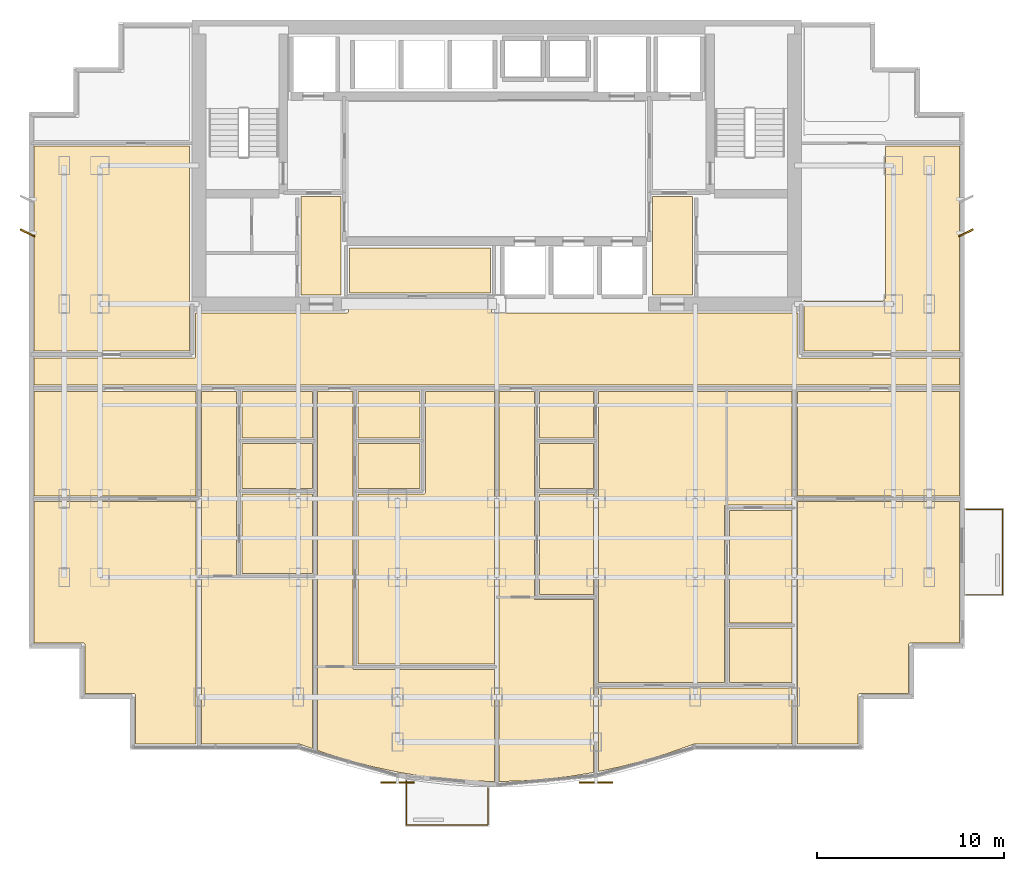
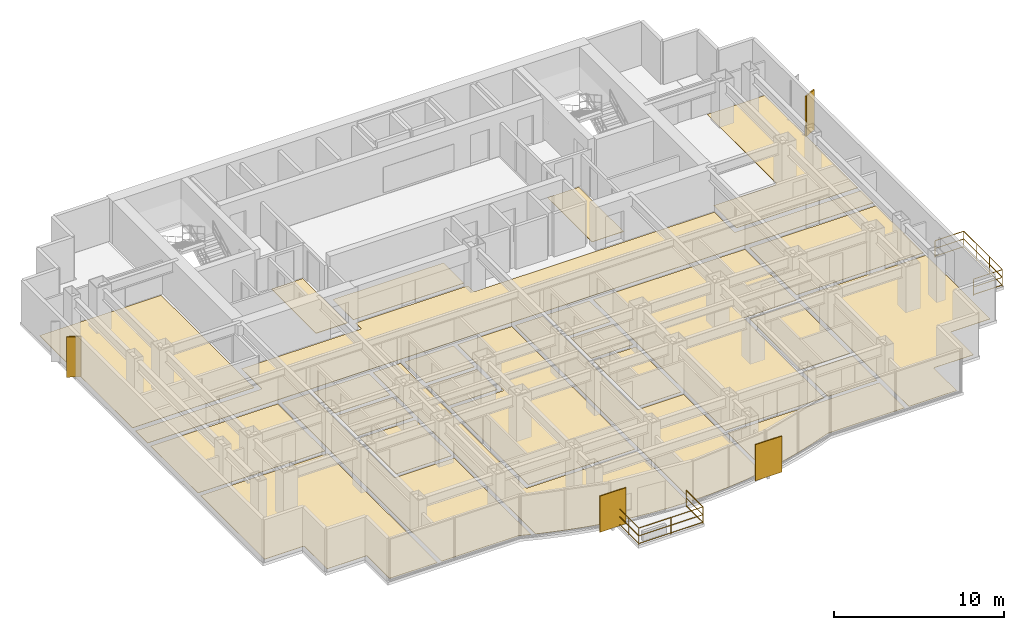
# One storey, part 9 of 10: 26 coverings, 4 shading devices, 2 railings.
"""IFC4 building model written with IfcOpenShell, lengths in metres."""

from ifc_helpers import new_model, si_unit, direction, frame, origin, origin_2d, place, context, subcontext, project, spatial, polyline, rectangle, circle, outline, extrude, source, transform, mapped, material, layer, layer_set, type_object, element, save


model = new_model("IFC4")

# Units and contexts
model_context = context("Model", 3, precision=1e-05, world=origin(), true_north=direction((0.0, 1.0)))
body_context = subcontext(model_context, "Body", "Model", "MODEL_VIEW")
ifc_project = project(units=[si_unit("LENGTHUNIT", "METRE"), si_unit("AREAUNIT", "SQUARE_METRE"), si_unit("VOLUMEUNIT", "CUBIC_METRE"), si_unit("PLANEANGLEUNIT", "RADIAN"), si_unit("MASSUNIT", "GRAM", prefix="KILO")], contexts=[model_context])

# Site, building, storey
site_placement = place(None, origin())
site = spatial("IfcSite", under=ifc_project, at=site_placement, CompositionType="ELEMENT")
building_placement = place(site_placement, origin())
building = spatial("IfcBuilding", under=site, at=building_placement, Name="Qianlan Lanfeng Residences", CompositionType="ELEMENT")
storey_placement = place(building_placement, frame((0.0, 0.0, 88.300048828125)))
storey = spatial("IfcBuildingStorey", under=building, at=storey_placement, Name="L23", CompositionType="ELEMENT", Elevation=88.300048828125)

# Coverings
ifc_material_1 = material(Name="Honed Taitung Granite Stone Flooring", Category="masonry")
ifc_layer_1 = layer(ifc_material_1, 0.030029296875)
ifc_layer_set_1 = layer_set([ifc_layer_1], Name="Honed Taitung Granite Stone Flooring")
covering_type_1 = type_object("IfcCoveringType", Name="FLR-STN-30", PredefinedType="FLOORING", material=ifc_layer_set_1)
covering_1_placement = place(storey_placement, origin())
element("IfcCovering", 1, at=covering_1_placement, inside=storey, type_object=covering_type_1, Name="L23 Residential Corridor Floor Finish", PredefinedType="FLOORING", context=body_context, shape_type="SweptSolid", body=[
    extrude(outline(polyline([(1.7900390625, 20.8798828125), (51.2099609375, 20.8798828125), (51.2099609375, 22.320068359375), (42.6650390625, 22.320068359375), (42.657958984375, 22.320068359375), (42.65087890625, 22.321044921875), (42.64501953125, 22.322998046875), (42.637939453125, 22.324951171875), (42.632080078125, 22.327880859375), (42.6259765625, 22.33203125), (42.62109375, 22.3359375), (42.615966796875, 22.341064453125), (42.611083984375, 22.345947265625), (42.60693359375, 22.35107421875), (42.60302734375, 22.35693359375), (42.60009765625, 22.363037109375), (42.597900390625, 22.3701171875), (42.595947265625, 22.3759765625), (42.594970703125, 22.383056640625), (42.594970703125, 22.389892578125), (42.594970703125, 24.72509765625), (26.300048828125, 24.72509765625), (26.29296875, 24.72509765625), (26.285888671875, 24.72607421875), (26.280029296875, 24.72802734375), (26.27294921875, 24.72998046875), (26.26708984375, 24.73291015625), (26.260986328125, 24.737060546875), (26.256103515625, 24.740966796875), (26.2509765625, 24.74609375), (26.24609375, 24.7509765625), (26.241943359375, 24.756103515625), (26.238037109375, 24.761962890625), (26.235107421875, 24.76806640625), (26.23291015625, 24.77490234375), (26.23095703125, 24.781005859375), (26.22998046875, 24.7880859375), (26.22998046875, 24.794921875), (26.22998046875, 25.429931640625), (18.570068359375, 25.429931640625), (18.570068359375, 24.794921875), (18.570068359375, 24.7880859375), (18.569091796875, 24.781005859375), (18.56689453125, 24.77490234375), (18.56494140625, 24.76806640625), (18.56201171875, 24.761962890625), (18.55810546875, 24.756103515625), (18.553955078125, 24.7509765625), (18.549072265625, 24.74609375), (18.5439453125, 24.740966796875), (18.5390625, 24.737060546875), (18.532958984375, 24.73291015625), (18.527099609375, 24.72998046875), (18.52001953125, 24.72802734375), (18.513916015625, 24.72607421875), (18.507080078125, 24.72509765625), (18.5, 24.72509765625), (10.405029296875, 24.72509765625), (10.405029296875, 22.389892578125), (10.405029296875, 22.383056640625), (10.404052734375, 22.3759765625), (10.402099609375, 22.3701171875), (10.39990234375, 22.363037109375), (10.39697265625, 22.35693359375), (10.39306640625, 22.35107421875), (10.388916015625, 22.345947265625), (10.384033203125, 22.341064453125), (10.37890625, 22.3359375), (10.3740234375, 22.33203125), (10.367919921875, 22.327880859375), (10.362060546875, 22.324951171875), (10.35498046875, 22.322998046875), (10.34912109375, 22.321044921875), (10.342041015625, 22.320068359375), (10.3349609375, 22.320068359375), (1.7900390625, 22.320068359375), (1.7900390625, 20.8798828125)])), origin(), (0.0, 0.0, 1.0), 0.030029296875),
])
covering_2_placement = place(storey_placement, origin())
element("IfcCovering", 2, at=covering_2_placement, inside=storey, type_object=covering_type_1, Name="L23 Lift Lobby Floor Finish", PredefinedType="FLOORING", context=body_context, shape_type="SweptSolid", body=[
    extrude(outline(polyline([(16.030029296875, 25.68505859375), (18.169921875, 25.68505859375), (18.169921875, 30.949951171875), (16.030029296875, 30.949951171875), (16.030029296875, 25.68505859375)])), origin(), (0.0, 0.0, 1.0), 0.030029296875),
])
covering_3_placement = place(storey_placement, origin())
element("IfcCovering", 3, at=covering_3_placement, inside=storey, type_object=covering_type_1, Name="L23 Lift Lobby Floor Finish", PredefinedType="FLOORING", context=body_context, shape_type="SweptSolid", body=[
    extrude(outline(polyline([(34.830078125, 25.68505859375), (36.969970703125, 25.68505859375), (36.969970703125, 30.949951171875), (34.830078125, 30.949951171875), (34.830078125, 25.68505859375)])), origin(), (0.0, 0.0, 1.0), 0.030029296875),
])
ifc_material_2 = material(Name="Slip-Resistant Porcelain Tile Flooring")
ifc_layer_2 = layer(ifc_material_2, 0.02001953125)
ifc_layer_set_2 = layer_set([ifc_layer_2], Name="Slip-Resistant Porcelain Tile Flooring")
covering_type_2 = type_object("IfcCoveringType", Name="FLR-TIL-20", PredefinedType="FLOORING", material=ifc_layer_set_2)
covering_4_placement = place(storey_placement, origin())
element("IfcCovering", 4, at=covering_4_placement, inside=storey, type_object=covering_type_2, Name="L23 Kitchen Floor Finish", PredefinedType="FLOORING", context=body_context, shape_type="SweptSolid", body=[
    extrude(outline(polyline([(12.889892578125, 15.340087890625), (16.659912109375, 15.340087890625), (16.659912109375, 17.760009765625), (12.889892578125, 17.760009765625), (12.889892578125, 15.340087890625)])), origin(), (0.0, 0.0, 1.0), 0.02001953125),
])
covering_5_placement = place(storey_placement, origin())
element("IfcCovering", 5, at=covering_5_placement, inside=storey, type_object=covering_type_2, Name="L23 Bathroom Floor Finish", PredefinedType="FLOORING", context=body_context, shape_type="SweptSolid", body=[
    extrude(outline(polyline([(12.889892578125, 18.0400390625), (16.659912109375, 18.0400390625), (16.659912109375, 20.530029296875), (12.889892578125, 20.530029296875), (12.889892578125, 18.0400390625)])), origin(), (0.0, 0.0, 1.0), 0.02001953125),
])
covering_6_placement = place(storey_placement, origin())
element("IfcCovering", 6, at=covering_6_placement, inside=storey, type_object=covering_type_2, Name="L23 Kitchen Floor Finish", PredefinedType="FLOORING", context=body_context, shape_type="SweptSolid", body=[
    extrude(outline(polyline([(19.090087890625, 15.340087890625), (22.409912109375, 15.340087890625), (22.409912109375, 17.760009765625), (19.090087890625, 17.760009765625), (19.090087890625, 15.340087890625)])), origin(), (0.0, 0.0, 1.0), 0.02001953125),
])
covering_7_placement = place(storey_placement, origin())
element("IfcCovering", 7, at=covering_7_placement, inside=storey, type_object=covering_type_2, Name="L23 Bathroom Floor Finish", PredefinedType="FLOORING", context=body_context, shape_type="SweptSolid", body=[
    extrude(outline(polyline([(19.090087890625, 18.0400390625), (22.409912109375, 18.0400390625), (22.409912109375, 20.530029296875), (19.090087890625, 20.530029296875), (19.090087890625, 18.0400390625)])), origin(), (0.0, 0.0, 1.0), 0.02001953125),
])
covering_8_placement = place(storey_placement, origin())
element("IfcCovering", 8, at=covering_8_placement, inside=storey, type_object=covering_type_2, Name="L23 Kitchen Floor Finish", PredefinedType="FLOORING", context=body_context, shape_type="SweptSolid", body=[
    extrude(outline(polyline([(28.7900390625, 15.340087890625), (31.659912109375, 15.340087890625), (31.659912109375, 17.760009765625), (28.7900390625, 17.760009765625), (28.7900390625, 15.340087890625)])), origin(), (0.0, 0.0, 1.0), 0.02001953125),
])
covering_9_placement = place(storey_placement, origin())
element("IfcCovering", 9, at=covering_9_placement, inside=storey, type_object=covering_type_2, Name="L23 Bathroom Floor Finish", PredefinedType="FLOORING", context=body_context, shape_type="SweptSolid", body=[
    extrude(outline(polyline([(28.7900390625, 18.0400390625), (31.659912109375, 18.0400390625), (31.659912109375, 20.530029296875), (28.7900390625, 20.530029296875), (28.7900390625, 18.0400390625)])), origin(), (0.0, 0.0, 1.0), 0.02001953125),
])
covering_10_placement = place(storey_placement, origin())
element("IfcCovering", 10, at=covering_10_placement, inside=storey, type_object=covering_type_2, Name="L23 En-Suite Bathroom Floor Finish", PredefinedType="FLOORING", context=body_context, shape_type="SweptSolid", body=[
    extrude(outline(polyline([(38.93994140625, 4.968017578125), (42.27001953125, 4.968017578125), (42.27001953125, 7.887939453125), (38.93994140625, 7.887939453125), (38.93994140625, 4.968017578125)])), origin(), (0.0, 0.0, 1.0), 0.02001953125),
])
ifc_material_3 = material(Name="Engineered Smoked Oak Timber Flooring", Category="wood")
ifc_layer_3 = layer(ifc_material_3, 0.02197265625)
ifc_layer_set_3 = layer_set([ifc_layer_3], Name="Engineered Smoked Oak Timber Flooring")
covering_type_3 = type_object("IfcCoveringType", Name="FLR-TIM-22", PredefinedType="FLOORING", material=ifc_layer_set_3)
covering_11_placement = place(storey_placement, origin())
element("IfcCovering", 11, at=covering_11_placement, inside=storey, type_object=covering_type_3, Name="L23 Gallery Salon Floor Finish", PredefinedType="FLOORING", context=body_context, shape_type="SweptSolid", body=[
    extrude(outline(polyline([(18.6298828125, 25.800048828125), (26.169921875, 25.800048828125), (26.169921875, 28.205078125), (18.6298828125, 28.205078125), (18.6298828125, 25.800048828125)])), origin(), (0.0, 0.0, 1.0), 0.02197265625),
])
covering_12_placement = place(storey_placement, origin())
element("IfcCovering", 12, at=covering_12_placement, inside=storey, type_object=covering_type_3, Name="L23 Studio Living Room Floor Finish", PredefinedType="FLOORING", context=body_context, shape_type="SweptSolid", body=[
    extrude(outline(polyline([(16.669921875, 1.44189453125), (16.669921875, 10.511962890625), (12.679931640625, 10.511962890625), (12.673095703125, 10.511962890625), (12.666015625, 10.512939453125), (12.659912109375, 10.514892578125), (12.653076171875, 10.51708984375), (12.64697265625, 10.52001953125), (12.64111328125, 10.52392578125), (12.635986328125, 10.528076171875), (12.631103515625, 10.532958984375), (12.6259765625, 10.5380859375), (12.6220703125, 10.54296875), (12.617919921875, 10.549072265625), (12.614990234375, 10.554931640625), (12.613037109375, 10.56201171875), (12.611083984375, 10.568115234375), (12.610107421875, 10.574951171875), (12.610107421875, 10.58203125), (12.610107421875, 20.530029296875), (10.72998046875, 20.530029296875), (10.72998046875, 1.68994140625), (15.9580078125, 1.68994140625), (15.966064453125, 1.68994140625), (15.97412109375, 1.68798828125), (15.98095703125, 1.68603515625), (16.669921875, 1.44189453125)])), origin(), (0.0, 0.0, 1.0), 0.02197265625),
])
covering_13_placement = place(storey_placement, origin())
element("IfcCovering", 13, at=covering_13_placement, inside=storey, type_object=covering_type_3, Name="L23 Villa Family Sitting Room Floor Finish", PredefinedType="FLOORING", context=body_context, shape_type="SweptSolid", body=[
    extrude(outline(polyline([(12.889892578125, 15.06005859375), (12.889892578125, 10.7919921875), (16.669921875, 10.7919921875), (16.669921875, 15.06005859375), (12.889892578125, 15.06005859375)])), origin(), (0.0, 0.0, 1.0), 0.02197265625),
])
covering_14_placement = place(storey_placement, origin())
element("IfcCovering", 14, at=covering_14_placement, inside=storey, type_object=covering_type_3, Name="L23 Studio Living Room Floor Finish", PredefinedType="FLOORING", context=body_context, shape_type="SweptSolid", body=[
    extrude(outline(polyline([(26.3701171875, -0.306884765625), (26.3701171875, 5.68310546875), (18.8798828125, 5.68310546875), (18.873046875, 5.68310546875), (18.865966796875, 5.68408203125), (18.860107421875, 5.68603515625), (18.85302734375, 5.68798828125), (18.846923828125, 5.69091796875), (18.841064453125, 5.695068359375), (18.8359375, 5.698974609375), (18.8310546875, 5.7041015625), (18.825927734375, 5.708984375), (18.822021484375, 5.714111328125), (18.818115234375, 5.719970703125), (18.81494140625, 5.72607421875), (18.81298828125, 5.73291015625), (18.81103515625, 5.739013671875), (18.81005859375, 5.74609375), (18.81005859375, 5.7529296875), (18.81005859375, 20.530029296875), (16.929931640625, 20.530029296875), (16.929931640625, 1.34912109375), (17.3330078125, 1.2060546875), (18.64404296875, 0.803955078125), (19.9541015625, 0.462890625), (21.263916015625, 0.18505859375), (22.572998046875, -0.031982421875), (23.882080078125, -0.18603515625), (25.19091796875, -0.279052734375), (26.3701171875, -0.306884765625)])), origin(), (0.0, 0.0, 1.0), 0.02197265625),
])
covering_15_placement = place(storey_placement, origin())
element("IfcCovering", 15, at=covering_15_placement, inside=storey, type_object=covering_type_3, Name="L23 Villa Family Sitting Room Floor Finish", PredefinedType="FLOORING", context=body_context, shape_type="SweptSolid", body=[
    extrude(outline(polyline([(19.090087890625, 5.962890625), (26.3701171875, 5.962890625), (26.3701171875, 20.530029296875), (22.68994140625, 20.530029296875), (22.68994140625, 15.1298828125), (22.68994140625, 15.123046875), (22.68896484375, 15.115966796875), (22.68701171875, 15.110107421875), (22.68505859375, 15.10302734375), (22.681884765625, 15.096923828125), (22.677978515625, 15.091064453125), (22.674072265625, 15.0859375), (22.6689453125, 15.0810546875), (22.6640625, 15.075927734375), (22.658935546875, 15.072021484375), (22.653076171875, 15.068115234375), (22.64697265625, 15.06494140625), (22.639892578125, 15.06298828125), (22.634033203125, 15.06103515625), (22.626953125, 15.06005859375), (22.6201171875, 15.06005859375), (19.090087890625, 15.06005859375), (19.090087890625, 5.962890625)])), origin(), (0.0, 0.0, 1.0), 0.02197265625),
])
covering_16_placement = place(storey_placement, origin())
element("IfcCovering", 16, at=covering_16_placement, inside=storey, type_object=covering_type_3, Name="L23 Living and Dining Room Floor Finish", PredefinedType="FLOORING", context=body_context, shape_type="SweptSolid", body=[
    extrude(outline(polyline([(31.669921875, 0.174072265625), (31.669921875, 9.406982421875), (28.580078125, 9.406982421875), (28.572998046875, 9.406982421875), (28.56591796875, 9.407958984375), (28.56005859375, 9.409912109375), (28.552978515625, 9.412109375), (28.547119140625, 9.4150390625), (28.541015625, 9.4189453125), (28.535888671875, 9.423095703125), (28.531005859375, 9.427978515625), (28.52587890625, 9.43310546875), (28.52197265625, 9.43798828125), (28.51806640625, 9.444091796875), (28.514892578125, 9.449951171875), (28.512939453125, 9.45703125), (28.510986328125, 9.462890625), (28.510009765625, 9.469970703125), (28.510009765625, 9.47705078125), (28.510009765625, 20.530029296875), (26.6298828125, 20.530029296875), (26.6298828125, -0.306884765625), (27.80810546875, -0.279052734375), (29.117919921875, -0.18603515625), (30.426025390625, -0.031982421875), (31.669921875, 0.174072265625)])), origin(), (0.0, 0.0, 1.0), 0.02197265625),
])
covering_17_placement = place(storey_placement, origin())
element("IfcCovering", 17, at=covering_17_placement, inside=storey, type_object=covering_type_3, Name="L23 Villa Family Sitting Room Floor Finish", PredefinedType="FLOORING", context=body_context, shape_type="SweptSolid", body=[
    extrude(outline(polyline([(28.7900390625, 15.06005859375), (28.7900390625, 9.68701171875), (31.669921875, 9.68701171875), (31.669921875, 15.06005859375), (28.7900390625, 15.06005859375)])), origin(), (0.0, 0.0, 1.0), 0.02197265625),
])
covering_18_placement = place(storey_placement, origin())
element("IfcCovering", 18, at=covering_18_placement, inside=storey, type_object=covering_type_3, Name="L23 Private Study Floor Finish", PredefinedType="FLOORING", context=body_context, shape_type="SweptSolid", body=[
    extrude(outline(polyline([(38.93994140625, 8.16796875), (42.27001953125, 8.16796875), (42.27001953125, 14.174072265625), (38.93994140625, 14.174072265625), (38.93994140625, 8.16796875)])), origin(), (0.0, 0.0, 1.0), 0.02197265625),
])
covering_19_placement = place(storey_placement, origin())
element("IfcCovering", 19, at=covering_19_placement, inside=storey, type_object=covering_type_3, Name="L23 Villa Family Sitting Room Floor Finish", PredefinedType="FLOORING", context=body_context, shape_type="SweptSolid", body=[
    extrude(outline(polyline([(31.929931640625, 4.968017578125), (38.659912109375, 4.968017578125), (38.659912109375, 14.384033203125), (38.659912109375, 14.39111328125), (38.660888671875, 14.39794921875), (38.6630859375, 14.404052734375), (38.6650390625, 14.410888671875), (38.66796875, 14.4169921875), (38.672119140625, 14.423095703125), (38.676025390625, 14.427978515625), (38.680908203125, 14.43310546875), (38.68603515625, 14.43798828125), (38.69091796875, 14.44189453125), (38.697021484375, 14.446044921875), (38.702880859375, 14.448974609375), (38.7099609375, 14.450927734375), (38.716064453125, 14.452880859375), (38.722900390625, 14.4541015625), (38.72998046875, 14.4541015625), (42.27001953125, 14.4541015625), (42.27001953125, 20.530029296875), (31.929931640625, 20.530029296875), (31.929931640625, 4.968017578125)])), origin(), (0.0, 0.0, 1.0), 0.02197265625),
])
covering_20_placement = place(storey_placement, origin())
element("IfcCovering", 20, at=covering_20_placement, inside=storey, type_object=covering_type_3, Name="L23 Master Bedroom Floor Finish", PredefinedType="FLOORING", context=body_context, shape_type="SweptSolid", body=[
    extrude(outline(polyline([(31.929931640625, 4.68798828125), (31.929931640625, 0.22607421875), (33.044921875, 0.462890625), (34.35595703125, 0.803955078125), (35.6669921875, 1.2060546875), (37.01904296875, 1.68603515625), (37.02587890625, 1.68798828125), (37.033935546875, 1.68994140625), (37.0419921875, 1.68994140625), (42.27001953125, 1.68994140625), (42.27001953125, 4.68798828125), (31.929931640625, 4.68798828125)])), origin(), (0.0, 0.0, 1.0), 0.02197265625),
])
covering_21_placement = place(storey_placement, origin())
element("IfcCovering", 21, at=covering_21_placement, inside=storey, type_object=covering_type_3, Name="L23 Sunroom Floor Finish", PredefinedType="FLOORING", context=body_context, shape_type="SweptSolid", body=[
    extrude(outline(polyline([(10.43994140625, 14.64990234375), (1.7900390625, 14.64990234375), (1.7900390625, 7.090087890625), (4.419921875, 7.090087890625), (4.427001953125, 7.090087890625), (4.43408203125, 7.089111328125), (4.43994140625, 7.0869140625), (4.447021484375, 7.0849609375), (4.452880859375, 7.08203125), (4.458984375, 7.077880859375), (4.464111328125, 7.073974609375), (4.468994140625, 7.069091796875), (4.47412109375, 7.06396484375), (4.47802734375, 7.05908203125), (4.48193359375, 7.052978515625), (4.485107421875, 7.047119140625), (4.487060546875, 7.0400390625), (4.489013671875, 7.033935546875), (4.489990234375, 7.027099609375), (4.489990234375, 7.02001953125), (4.489990234375, 4.389892578125), (7.1201171875, 4.389892578125), (7.126953125, 4.389892578125), (7.134033203125, 4.388916015625), (7.139892578125, 4.386962890625), (7.14697265625, 4.385009765625), (7.153076171875, 4.382080078125), (7.158935546875, 4.3779296875), (7.1640625, 4.3740234375), (7.1689453125, 4.368896484375), (7.174072265625, 4.364013671875), (7.177978515625, 4.35888671875), (7.181884765625, 4.35302734375), (7.18505859375, 4.346923828125), (7.18701171875, 4.340087890625), (7.18896484375, 4.333984375), (7.18994140625, 4.326904296875), (7.18994140625, 4.320068359375), (7.18994140625, 1.68994140625), (10.43994140625, 1.68994140625), (10.43994140625, 14.64990234375)])), origin(), (0.0, 0.0, 1.0), 0.02197265625),
])
covering_22_placement = place(storey_placement, origin())
element("IfcCovering", 22, at=covering_22_placement, inside=storey, type_object=covering_type_3, Name="L23 Family Sitting Room Floor Finish", PredefinedType="FLOORING", context=body_context, shape_type="SweptSolid", body=[
    extrude(outline(polyline([(10.43994140625, 20.530029296875), (1.7900390625, 20.530029296875), (1.7900390625, 14.949951171875), (10.43994140625, 14.949951171875), (10.43994140625, 20.530029296875)])), origin(), (0.0, 0.0, 1.0), 0.02197265625),
])
covering_23_placement = place(storey_placement, origin())
element("IfcCovering", 23, at=covering_23_placement, inside=storey, type_object=covering_type_3, Name="L23 Sunroom Floor Finish", PredefinedType="FLOORING", context=body_context, shape_type="SweptSolid", body=[
    extrude(outline(polyline([(51.2099609375, 14.64990234375), (42.56005859375, 14.64990234375), (42.56005859375, 1.68994140625), (45.81005859375, 1.68994140625), (45.81005859375, 4.320068359375), (45.81005859375, 4.326904296875), (45.81103515625, 4.333984375), (45.81298828125, 4.340087890625), (45.81494140625, 4.346923828125), (45.818115234375, 4.35302734375), (45.822021484375, 4.35888671875), (45.825927734375, 4.364013671875), (45.8310546875, 4.368896484375), (45.8359375, 4.3740234375), (45.841064453125, 4.3779296875), (45.846923828125, 4.382080078125), (45.85302734375, 4.385009765625), (45.860107421875, 4.386962890625), (45.865966796875, 4.388916015625), (45.873046875, 4.389892578125), (45.8798828125, 4.389892578125), (48.510009765625, 4.389892578125), (48.510009765625, 7.02001953125), (48.510009765625, 7.027099609375), (48.510986328125, 7.033935546875), (48.512939453125, 7.0400390625), (48.514892578125, 7.047119140625), (48.51806640625, 7.052978515625), (48.52197265625, 7.05908203125), (48.52587890625, 7.06396484375), (48.531005859375, 7.069091796875), (48.535888671875, 7.073974609375), (48.541015625, 7.077880859375), (48.547119140625, 7.08203125), (48.552978515625, 7.0849609375), (48.56005859375, 7.0869140625), (48.56591796875, 7.089111328125), (48.572998046875, 7.090087890625), (48.580078125, 7.090087890625), (51.2099609375, 7.090087890625), (51.2099609375, 14.64990234375)])), origin(), (0.0, 0.0, 1.0), 0.02197265625),
])
covering_24_placement = place(storey_placement, origin())
element("IfcCovering", 24, at=covering_24_placement, inside=storey, type_object=covering_type_3, Name="L23 Private Study Floor Finish", PredefinedType="FLOORING", context=body_context, shape_type="SweptSolid", body=[
    extrude(outline(polyline([(51.2099609375, 20.530029296875), (42.56005859375, 20.530029296875), (42.56005859375, 14.949951171875), (51.2099609375, 14.949951171875), (51.2099609375, 20.530029296875)])), origin(), (0.0, 0.0, 1.0), 0.02197265625),
])
covering_25_placement = place(storey_placement, origin())
element("IfcCovering", 25, at=covering_25_placement, inside=storey, type_object=covering_type_3, Name="L23 Business Meeting Room Floor Finish", PredefinedType="FLOORING", context=body_context, shape_type="SweptSolid", body=[
    extrude(outline(polyline([(10.074951171875, 33.64990234375), (1.7900390625, 33.64990234375), (1.7900390625, 22.679931640625), (10.074951171875, 22.679931640625), (10.074951171875, 33.64990234375)])), origin(), (0.0, 0.0, 1.0), 0.02197265625),
])
covering_26_placement = place(storey_placement, origin())
element("IfcCovering", 26, at=covering_26_placement, inside=storey, type_object=covering_type_3, Name="L23 Business Meeting Room Floor Finish", PredefinedType="FLOORING", context=body_context, shape_type="SweptSolid", body=[
    extrude(outline(polyline([(51.2099609375, 33.64990234375), (47.27001953125, 33.64990234375), (47.27001953125, 25.60009765625), (47.26904296875, 25.574951171875), (47.264892578125, 25.551025390625), (47.259033203125, 25.527099609375), (47.2509765625, 25.50390625), (47.239990234375, 25.48193359375), (47.22802734375, 25.4609375), (47.212890625, 25.44091796875), (47.197021484375, 25.423095703125), (47.178955078125, 25.406982421875), (47.158935546875, 25.39208984375), (47.137939453125, 25.3798828125), (47.115966796875, 25.368896484375), (47.093017578125, 25.361083984375), (47.069091796875, 25.35498046875), (47.044921875, 25.35107421875), (47.02001953125, 25.35009765625), (43.080078125, 25.35009765625), (43.054931640625, 25.35107421875), (43.031005859375, 25.35498046875), (43.007080078125, 25.361083984375), (42.98388671875, 25.368896484375), (42.9619140625, 25.3798828125), (42.94091796875, 25.39208984375), (42.925048828125, 25.404052734375), (42.925048828125, 22.679931640625), (51.2099609375, 22.679931640625), (51.2099609375, 33.64990234375)])), origin(), (0.0, 0.0, 1.0), 0.02197265625),
])

# Railings
ifc_material_4 = material(Name="Anodised Bronze Aluminium and Laminated Glass Guard Balustrade", Category="aluminium")
railing_type = type_object("IfcRailingType", Name="GR-EXT-1220", PredefinedType="BALUSTRADE", material=ifc_material_4)
railing_1_placement = place(storey_placement, frame((26.030029296875, -0.658935546875, 0.0)))
element("IfcRailing", 27, at=railing_1_placement, inside=storey, type_object=railing_type, Name="L23 Terrace Safety Guard GR-L23-SB-C", PredefinedType="BALUSTRADE", context=body_context, shape_type="SweptSolid", body=[
    extrude(circle(Radius=0.02490234375, at=origin_2d()), frame((0.0, 0.0, 0.0849609375), z_axis=(0.0, -1.0, 0.0), x_axis=(1.0, 0.0, 0.0)), (0.0, 0.0, 1.0), 1.970947265625),
    extrude(circle(Radius=0.02490234375, at=origin_2d()), frame((0.0, 0.0, 0.63427734375), z_axis=(0.0, -1.0, 0.0), x_axis=(1.0, 0.0, 0.0)), (0.0, 0.0, 1.0), 1.970947265625),
    extrude(circle(Radius=0.02490234375, at=origin_2d()), frame((0.0, 0.0, 1.19482421875), z_axis=(0.0, -1.0, 0.0), x_axis=(1.0, 0.0, 0.0)), (0.0, 0.0, 1.0), 1.970947265625),
    extrude(circle(Radius=0.02490234375, at=origin_2d()), frame((0.0, -1.970947265625, 0.0849609375), z_axis=(-1.0, 0.0, 0.0), x_axis=(0.0, -1.0, 0.0)), (0.0, 0.0, 1.0), 4.360107421875),
    extrude(circle(Radius=0.02490234375, at=origin_2d()), frame((0.0, -1.970947265625, 0.63427734375), z_axis=(-1.0, 0.0, 0.0), x_axis=(0.0, -1.0, 0.0)), (0.0, 0.0, 1.0), 4.360107421875),
    extrude(circle(Radius=0.02490234375, at=origin_2d()), frame((0.0, -1.970947265625, 1.19482421875), z_axis=(-1.0, 0.0, 0.0), x_axis=(0.0, -1.0, 0.0)), (0.0, 0.0, 1.0), 4.360107421875),
    extrude(circle(Radius=0.02490234375, at=origin_2d()), frame((-4.360107421875, -1.970947265625, 0.0849609375), z_axis=(0.0, 1.0, 0.0), x_axis=(-1.0, 0.0, 0.0)), (0.0, 0.0, 1.0), 2.3818359375),
    extrude(circle(Radius=0.02490234375, at=origin_2d()), frame((-4.360107421875, -1.970947265625, 0.63427734375), z_axis=(0.0, 1.0, 0.0), x_axis=(-1.0, 0.0, 0.0)), (0.0, 0.0, 1.0), 2.3818359375),
    extrude(circle(Radius=0.02490234375, at=origin_2d()), frame((-4.360107421875, -1.970947265625, 1.19482421875), z_axis=(0.0, 1.0, 0.0), x_axis=(-1.0, 0.0, 0.0)), (0.0, 0.0, 1.0), 2.3818359375),
    extrude(circle(Radius=0.02099609375, at=origin_2d()), origin(), (0.0, 0.0, 1.0), 1.169921875),
    extrude(circle(Radius=0.02099609375, at=origin_2d()), frame((0.0, -1.970947265625, 0.0)), (0.0, 0.0, 1.0), 1.169921875),
    extrude(circle(Radius=0.02099609375, at=origin_2d()), frame((-2.18017578125, -1.970947265625, 0.0)), (0.0, 0.0, 1.0), 1.169921875),
    extrude(circle(Radius=0.02099609375, at=origin_2d()), frame((-4.360107421875, -1.970947265625, 0.0)), (0.0, 0.0, 1.0), 1.169921875),
    extrude(circle(Radius=0.02099609375, at=origin_2d()), frame((-4.360107421875, -0.780029296875, 0.0)), (0.0, 0.0, 1.0), 1.169921875),
    extrude(circle(Radius=0.02099609375, at=origin_2d()), frame((-4.360107421875, 0.410888671875, 0.0)), (0.0, 0.0, 1.0), 1.169921875),
])
railing_2_placement = place(storey_placement, frame((51.570068359375, 14.22998046875, 0.0)))
element("IfcRailing", 28, at=railing_2_placement, inside=storey, type_object=railing_type, Name="L23 Terrace Safety Guard GR-L23-EB-S", PredefinedType="BALUSTRADE", context=body_context, shape_type="SweptSolid", body=[
    extrude(circle(Radius=0.02490234375, at=origin_2d()), frame((0.0, 0.0, 0.0849609375), z_axis=(1.0, 0.0, 0.0), x_axis=(0.0, 1.0, 0.0)), (0.0, 0.0, 1.0), 1.9599609375),
    extrude(circle(Radius=0.02490234375, at=origin_2d()), frame((0.0, 0.0, 0.63427734375), z_axis=(1.0, 0.0, 0.0), x_axis=(0.0, 1.0, 0.0)), (0.0, 0.0, 1.0), 1.9599609375),
    extrude(circle(Radius=0.02490234375, at=origin_2d()), frame((0.0, 0.0, 1.19482421875), z_axis=(1.0, 0.0, 0.0), x_axis=(0.0, 1.0, 0.0)), (0.0, 0.0, 1.0), 1.9599609375),
    extrude(circle(Radius=0.02490234375, at=origin_2d()), frame((1.9599609375, 0.0, 0.0849609375), z_axis=(0.0, -1.0, 0.0), x_axis=(1.0, 0.0, 0.0)), (0.0, 0.0, 1.0), 4.56005859375),
    extrude(circle(Radius=0.02490234375, at=origin_2d()), frame((1.9599609375, 0.0, 0.63427734375), z_axis=(0.0, -1.0, 0.0), x_axis=(1.0, 0.0, 0.0)), (0.0, 0.0, 1.0), 4.56005859375),
    extrude(circle(Radius=0.02490234375, at=origin_2d()), frame((1.9599609375, 0.0, 1.19482421875), z_axis=(0.0, -1.0, 0.0), x_axis=(1.0, 0.0, 0.0)), (0.0, 0.0, 1.0), 4.56005859375),
    extrude(circle(Radius=0.02490234375, at=origin_2d()), frame((1.9599609375, -4.56005859375, 0.0849609375), z_axis=(-1.0, 0.0, 0.0), x_axis=(0.0, -1.0, 0.0)), (0.0, 0.0, 1.0), 1.9599609375),
    extrude(circle(Radius=0.02490234375, at=origin_2d()), frame((1.9599609375, -4.56005859375, 0.63427734375), z_axis=(-1.0, 0.0, 0.0), x_axis=(0.0, -1.0, 0.0)), (0.0, 0.0, 1.0), 1.9599609375),
    extrude(circle(Radius=0.02490234375, at=origin_2d()), frame((1.9599609375, -4.56005859375, 1.19482421875), z_axis=(-1.0, 0.0, 0.0), x_axis=(0.0, -1.0, 0.0)), (0.0, 0.0, 1.0), 1.9599609375),
    extrude(circle(Radius=0.02099609375, at=origin_2d()), origin(), (0.0, 0.0, 1.0), 1.169921875),
    extrude(circle(Radius=0.02099609375, at=origin_2d()), frame((1.9599609375, 0.0, 0.0)), (0.0, 0.0, 1.0), 1.169921875),
    extrude(circle(Radius=0.02099609375, at=origin_2d()), frame((1.9599609375, -1.52001953125, 0.0)), (0.0, 0.0, 1.0), 1.169921875),
    extrude(circle(Radius=0.02099609375, at=origin_2d()), frame((1.9599609375, -3.0400390625, 0.0)), (0.0, 0.0, 1.0), 1.169921875),
    extrude(circle(Radius=0.02099609375, at=origin_2d()), frame((1.9599609375, -4.56005859375, 0.0)), (0.0, 0.0, 1.0), 1.169921875),
    extrude(circle(Radius=0.02099609375, at=origin_2d()), frame((0.0, -4.56005859375, 0.0)), (0.0, 0.0, 1.0), 1.169921875),
])

# Shading devices
ifc_material_5 = material(Name="Perforated Bronze Aluminium Solar Screen", Category="aluminium")
shading_device_type_1 = type_object("IfcShadingDeviceType", Name="SCR-BRZ-1800", PredefinedType="JALOUSIE", material=ifc_material_5)
shared_shape_1 = source(origin(), body_context, "Body", "SweptSolid", [
    extrude(rectangle(XDim=1.800048828125, YDim=0.06005859375, at=origin_2d()), origin(), (0.0, 0.0, 1.0), 2.60009765625),
])
for number, where, z_axis, x_axis, name in (
    (29, (21.199951171875, -0.360107421875, 0.0), (0.0, 0.0, 1.0), (1.0, 0.0, 0.0), "L23 Perforated Bronze Solar Screen 1"),
    (30, (31.800048828125, -0.360107421875, 0.0), (0.0, 0.0, 1.0), (1.0, 0.0, 0.0), "L23 Perforated Bronze Solar Screen 2"),
):
    element("IfcShadingDevice", number, at=place(storey_placement, frame(where, z_axis=z_axis, x_axis=x_axis)), inside=storey, type_object=shading_device_type_1, Name=name, PredefinedType="JALOUSIE", context=body_context, shape_type="MappedRepresentation", body=[
        mapped(shared_shape_1, transform((0.0, 0.0, 0.0), scale=1.0)),
    ])
ifc_material_6 = material(Name="Anodised Bronze Aluminium Solar Fin", Category="aluminium")
shading_device_type_2 = type_object("IfcShadingDeviceType", Name="FIN-BRZ-850", PredefinedType="SHUTTER", material=ifc_material_6)
shared_shape_2 = source(origin(), body_context, "Body", "SweptSolid", [
    extrude(rectangle(XDim=0.85009765625, YDim=0.080078125, at=origin_2d()), origin(), (0.0, 0.0, 1.0), 2.89990234375),
])
for number, where, z_axis, x_axis, name in (
    (31, (1.429931640625, 29.0, 0.0), (0.0, 0.0, 1.0), (0.898794046299, -0.438371146789, 0.0), "L23 Raked Bronze Solar Fin W1"),
    (32, (51.570068359375, 29.0, 0.0), (0.0, 0.0, 1.0), (0.898794046299, 0.438371146789, 0.0), "L23 Raked Bronze Solar Fin E1"),
):
    element("IfcShadingDevice", number, at=place(storey_placement, frame(where, z_axis=z_axis, x_axis=x_axis)), inside=storey, type_object=shading_device_type_2, Name=name, PredefinedType="SHUTTER", context=body_context, shape_type="MappedRepresentation", body=[
        mapped(shared_shape_2, transform((0.0, 0.0, 0.0), scale=1.0)),
    ])

save(model, "model.ifc")
